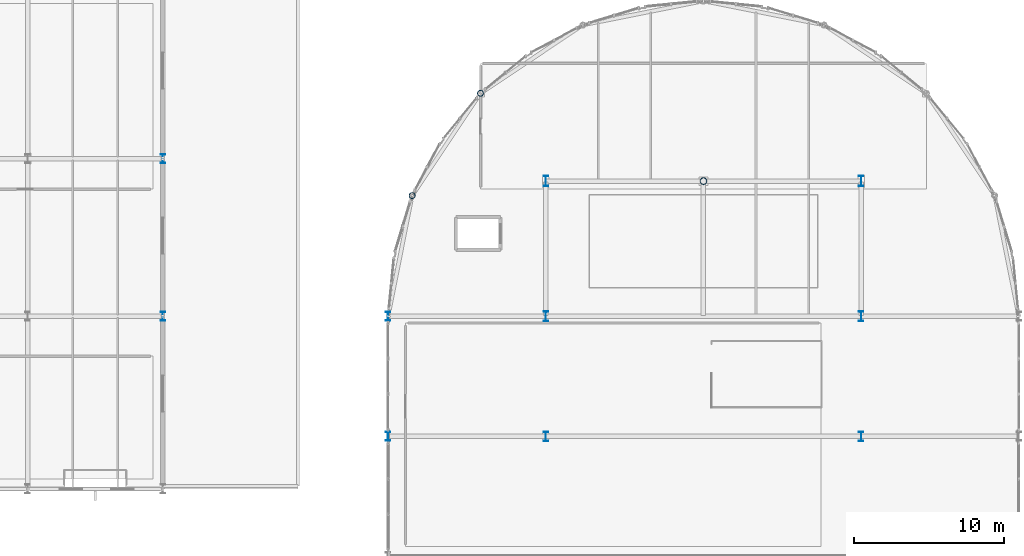
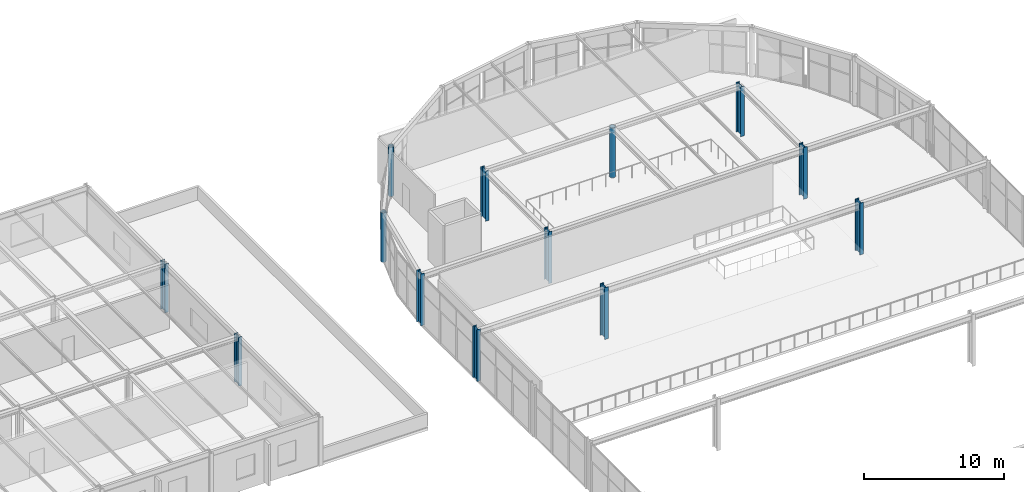
# One storey, part 6 of 105: 13 columns.
"""IFC4 building model written with IfcOpenShell, lengths in metres."""

from ifc_helpers import new_model, si_unit, direction, frame, origin, origin_2d, place, context, subcontext, project, spatial, hollow_circle, i_section, extrude, material, material_profile, profile_set, type_object, element, save


model = new_model("IFC4")

# Units and contexts
model_context = context("Model", 3, precision=1e-05, world=origin(), true_north=direction((0.0, 1.0)))
body_context = subcontext(model_context, "Body", "Model", "MODEL_VIEW")
ifc_project = project(units=[si_unit("LENGTHUNIT", "METRE"), si_unit("AREAUNIT", "SQUARE_METRE"), si_unit("VOLUMEUNIT", "CUBIC_METRE"), si_unit("PLANEANGLEUNIT", "RADIAN"), si_unit("MASSUNIT", "GRAM", prefix="KILO")], contexts=[model_context])

# Site, building, storey
site_placement = place(None, origin())
site = spatial("IfcSite", under=ifc_project, at=site_placement, CompositionType="ELEMENT")
building_placement = place(site_placement, origin())
building = spatial("IfcBuilding", under=site, at=building_placement, Name="Marlcrest Central Station", CompositionType="ELEMENT")
storey_placement = place(building_placement, frame((0.0, 0.0, 15.0)))
storey = spatial("IfcBuildingStorey", under=building, at=storey_placement, Name="L03", CompositionType="ELEMENT", Elevation=15.0)

# Columns
ifc_material = material(Name="Steel S355", Category="steel")
ifc_material_profile_1 = material_profile(ifc_material, i_section(OverallWidth=0.300048828125, OverallDepth=0.60009765625, WebThickness=0.015380859375, FlangeThickness=0.030029296875, FilletRadius=0.027099609375, at=origin_2d()), Name="HEB 600")
ifc_profile_set_1 = profile_set([ifc_material_profile_1], Name="Steel S355")
column_type_1 = type_object("IfcColumnType", Name="SC-05", PredefinedType="COLUMN", material=ifc_profile_set_1)
for number, where, z_axis, x_axis, name in (
    (1, (72.0, 110.5, 0.0), (0.0, 0.0, 1.0), (1.0, 0.0, 0.0), "col-SC-05-L03-0190"),
    (2, (72.0, 121.0, 0.0), (0.0, 0.0, 1.0), (1.0, 0.0, 0.0), "col-SC-05-L03-0191"),
):
    element("IfcColumn", number, at=place(storey_placement, frame(where, z_axis=z_axis, x_axis=x_axis)), inside=storey, type_object=column_type_1, Name=name, PredefinedType="COLUMN", context=body_context, shape_type="SweptSolid", body=[
        extrude(i_section(OverallWidth=0.300048828125, OverallDepth=0.60009765625, WebThickness=0.015380859375, FlangeThickness=0.030029296875, FilletRadius=0.027099609375, at=origin_2d()), origin(), (0.0, 0.0, 1.0), 4.235107421875),
    ])
for number, where, z_axis, x_axis, name in (
    (3, (87.0, 102.5, 0.0), (0.0, 0.0, 1.0), (1.0, 0.0, 0.0), "col-SC-05-L03-0762"),
    (4, (87.0, 110.5, 0.0), (0.0, 0.0, 1.0), (1.0, 0.0, 0.0), "col-SC-05-L03-0780"),
):
    element("IfcColumn", number, at=place(storey_placement, frame(where, z_axis=z_axis, x_axis=x_axis)), inside=storey, type_object=column_type_1, Name=name, PredefinedType="COLUMN", context=body_context, shape_type="SweptSolid", body=[
        extrude(i_section(OverallWidth=0.300048828125, OverallDepth=0.60009765625, WebThickness=0.015380859375, FlangeThickness=0.030029296875, FilletRadius=0.027099609375, at=origin_2d()), origin(), (0.0, 0.0, 1.0), 4.5),
    ])
ifc_material_profile_2 = material_profile(ifc_material, i_section(OverallWidth=0.300048828125, OverallDepth=0.64990234375, WebThickness=0.01611328125, FlangeThickness=0.031005859375, FilletRadius=0.027099609375, at=origin_2d()), Name="HEB 650")
ifc_profile_set_2 = profile_set([ifc_material_profile_2], Name="Steel S355")
column_type_2 = type_object("IfcColumnType", Name="SC-06", PredefinedType="COLUMN", material=ifc_profile_set_2)
for number, where, z_axis, x_axis, name in (
    (5, (97.5, 102.5, 0.0), (0.0, 0.0, 1.0), (1.0, 0.0, 0.0), "col-SC-06-L03-0764"),
    (6, (118.5, 102.5, 0.0), (0.0, 0.0, 1.0), (1.0, 0.0, 0.0), "col-SC-06-L03-0766"),
    (7, (97.5, 110.5, 0.0), (0.0, 0.0, 1.0), (1.0, 0.0, 0.0), "col-SC-06-L03-0782"),
    (8, (118.5, 110.5, 0.0), (0.0, 0.0, 1.0), (1.0, 0.0, 0.0), "col-SC-06-L03-0784"),
):
    element("IfcColumn", number, at=place(storey_placement, frame(where, z_axis=z_axis, x_axis=x_axis)), inside=storey, type_object=column_type_2, Name=name, PredefinedType="COLUMN", context=body_context, shape_type="SweptSolid", body=[
        extrude(i_section(OverallWidth=0.300048828125, OverallDepth=0.64990234375, WebThickness=0.01611328125, FlangeThickness=0.031005859375, FilletRadius=0.027099609375, at=origin_2d()), origin(), (0.0, 0.0, 1.0), 4.5),
    ])
ifc_material_profile_3 = material_profile(ifc_material, i_section(OverallWidth=0.300048828125, OverallDepth=0.699951171875, WebThickness=0.01708984375, FlangeThickness=0.031982421875, FilletRadius=0.027099609375, at=origin_2d()), Name="HEB 700")
ifc_profile_set_3 = profile_set([ifc_material_profile_3], Name="Steel S355")
column_type_3 = type_object("IfcColumnType", Name="SC-07", PredefinedType="COLUMN", material=ifc_profile_set_3)
for number, where, z_axis, x_axis, name in (
    (9, (97.5, 119.5, 0.0), (0.0, 0.0, 1.0), (1.0, 0.0, 0.0), "col-SC-07-L03-0874"),
    (10, (118.5, 119.5, 0.0), (0.0, 0.0, 1.0), (1.0, 0.0, 0.0), "col-SC-07-L03-0882"),
):
    element("IfcColumn", number, at=place(storey_placement, frame(where, z_axis=z_axis, x_axis=x_axis)), inside=storey, type_object=column_type_3, Name=name, PredefinedType="COLUMN", context=body_context, shape_type="SweptSolid", body=[
        extrude(i_section(OverallWidth=0.300048828125, OverallDepth=0.699951171875, WebThickness=0.01708984375, FlangeThickness=0.031982421875, FilletRadius=0.027099609375, at=origin_2d()), origin(), (0.0, 0.0, 1.0), 4.324951171875),
    ])
ifc_material_profile_4 = material_profile(ifc_material, hollow_circle(Radius=0.203125, WallThickness=0.02001953125, at=origin_2d()), Name="CHS 406.4x20")
ifc_profile_set_4 = profile_set([ifc_material_profile_4], Name="Steel S355")
column_type_4 = type_object("IfcColumnType", Name="SC-10", PredefinedType="COLUMN", material=ifc_profile_set_4)
for number, where, z_axis, x_axis, name in (
    (11, (88.59912109375, 118.535888671875, 0.0), (0.0, 0.0, 1.0), (1.0, 0.0, 0.0), "col-SC-10-L03-0846"),
    (12, (93.15087890625, 125.34912109375, 0.0), (0.0, 0.0, 1.0), (1.0, 0.0, 0.0), "col-SC-10-L03-0850"),
):
    element("IfcColumn", number, at=place(storey_placement, frame(where, z_axis=z_axis, x_axis=x_axis)), inside=storey, type_object=column_type_4, Name=name, PredefinedType="COLUMN", context=body_context, shape_type="SweptSolid", body=[
        extrude(hollow_circle(Radius=0.203125, WallThickness=0.02001953125, at=origin_2d()), origin(), (0.0, 0.0, 1.0), 4.31005859375),
    ])
ifc_material_profile_5 = material_profile(ifc_material, hollow_circle(Radius=0.228515625, WallThickness=0.02001953125, at=origin_2d()), Name="CHS 457x20")
ifc_profile_set_5 = profile_set([ifc_material_profile_5], Name="Steel S355")
column_type_5 = type_object("IfcColumnType", Name="SC-11", PredefinedType="COLUMN", material=ifc_profile_set_5)
column_placement = place(storey_placement, frame((108.0, 119.5, 0.0), z_axis=(0.0, 0.0, 1.0), x_axis=(1.0, 0.0, 0.0)))
element("IfcColumn", 13, at=column_placement, inside=storey, type_object=column_type_5, Name="col-SC-11-L03-0878", PredefinedType="COLUMN", context=body_context, shape_type="SweptSolid", body=[
    extrude(hollow_circle(Radius=0.228515625, WallThickness=0.02001953125, at=origin_2d()), origin(), (0.0, 0.0, 1.0), 4.324951171875),
])

save(model, "model.ifc")
